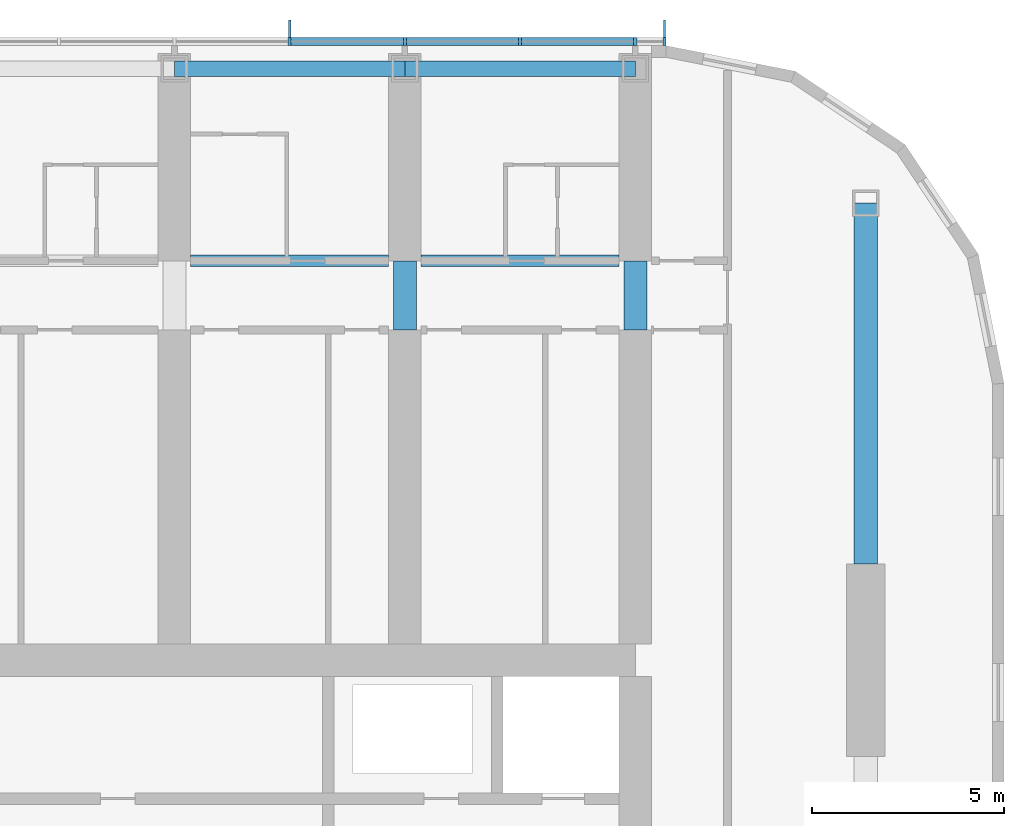
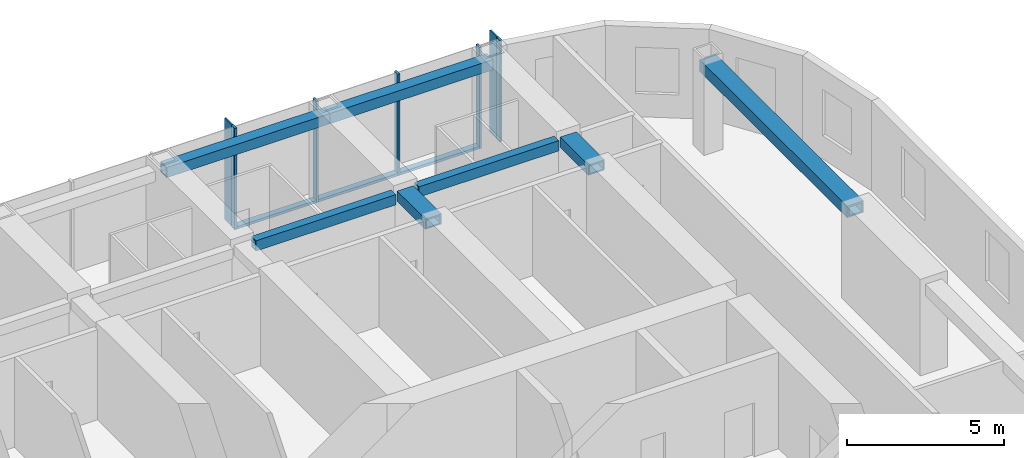
# One storey, part 7 of 27: 10 members, 7 beams, 1 element without a shape of its own.
"""IFC4 building model written with IfcOpenShell, lengths in metres."""

from ifc_helpers import new_model, si_unit, direction, frame, origin, origin_2d, place, context, subcontext, project, spatial, rectangle, hollow_rectangle, extrude, material, material_profile, profile_set, type_object, element, aggregate, save


model = new_model("IFC4")

# Units and contexts
model_context = context("Model", 3, precision=1e-05, world=origin(), true_north=direction((0.0, 1.0)))
body_context = subcontext(model_context, "Body", "Model", "MODEL_VIEW")
ifc_project = project(units=[si_unit("LENGTHUNIT", "METRE"), si_unit("AREAUNIT", "SQUARE_METRE"), si_unit("VOLUMEUNIT", "CUBIC_METRE"), si_unit("PLANEANGLEUNIT", "RADIAN"), si_unit("MASSUNIT", "GRAM", prefix="KILO")], contexts=[model_context])

# Site, building, storey
site_placement = place(None, origin())
site = spatial("IfcSite", under=ifc_project, at=site_placement, CompositionType="ELEMENT")
building_placement = place(site_placement, origin())
building = spatial("IfcBuilding", under=site, at=building_placement, Name="Orbita Commons", CompositionType="ELEMENT")
storey_placement = place(building_placement, frame((0.0, 0.0, 178.60009765625)))
storey = spatial("IfcBuildingStorey", under=building, at=storey_placement, Name="L44", CompositionType="ELEMENT", Elevation=178.60009765625)

# Curtain wall, members
ifc_material_1 = material(Name="Anodised aluminium frame, pale silver", Category="aluminium")
curtain_wall_type = type_object("IfcCurtainWallType", Name="Unitised curtain wall CW-U, full-height vision", PredefinedType="NOTDEFINED", material=ifc_material_1)
curtain_wall_placement = place(storey_placement, origin())
curtain_wall = element("IfcCurtainWall", 1, at=curtain_wall_placement, inside=storey, type_object=curtain_wall_type, Name="Curtain wall north L44", PredefinedType="NOTDEFINED")
ifc_material_2 = material(Name="Anodised aluminium, pale silver", Category="aluminium")
ifc_material_profile_1 = material_profile(ifc_material_2, rectangle(XDim=0.080078125, YDim=0.219970703125, at=origin_2d()), Name="AL 80x220")
ifc_profile_set_1 = profile_set([ifc_material_profile_1], Name="Anodised aluminium, pale silver")
member_type_1 = type_object("IfcMemberType", Name="Curtain wall mullion 80x220", PredefinedType="MULLION", material=ifc_profile_set_1)
member_1_placement = place(storey_placement, frame((66.760009765625, 54.31005859375, -0.4501953125), z_axis=(0.0, 0.0, 1.0), x_axis=(-1.0, 0.0, 0.0)))
member_1 = element("IfcMember", 2, at=member_1_placement, type_object=member_type_1, Name="Mullion 1 CW-L44-N", PredefinedType="MULLION", context=body_context, shape_type="SweptSolid", body=[
    extrude(rectangle(XDim=0.080078125, YDim=0.219970703125, at=origin_2d()), origin(), (0.0, 0.0, 1.0), 3.9501953125),
])
member_2_placement = place(storey_placement, frame((66.0, 54.31005859375, -0.4501953125), z_axis=(0.0, 0.0, 1.0), x_axis=(-1.0, 0.0, 0.0)))
member_2 = element("IfcMember", 3, at=member_2_placement, type_object=member_type_1, Name="Mullion 2 CW-L44-N", PredefinedType="MULLION", context=body_context, shape_type="SweptSolid", body=[
    extrude(rectangle(XDim=0.080078125, YDim=0.219970703125, at=origin_2d()), origin(), (0.0, 0.0, 1.0), 3.9501953125),
])
member_3_placement = place(storey_placement, frame((63.0, 54.31005859375, -0.4501953125), z_axis=(0.0, 0.0, 1.0), x_axis=(-1.0, 0.0, 0.0)))
member_3 = element("IfcMember", 4, at=member_3_placement, type_object=member_type_1, Name="Mullion 3 CW-L44-N", PredefinedType="MULLION", context=body_context, shape_type="SweptSolid", body=[
    extrude(rectangle(XDim=0.080078125, YDim=0.219970703125, at=origin_2d()), origin(), (0.0, 0.0, 1.0), 3.9501953125),
])
member_4_placement = place(storey_placement, frame((60.0, 54.31005859375, -0.4501953125), z_axis=(0.0, 0.0, 1.0), x_axis=(-1.0, 0.0, 0.0)))
member_4 = element("IfcMember", 5, at=member_4_placement, type_object=member_type_1, Name="Mullion 4 CW-L44-N", PredefinedType="MULLION", context=body_context, shape_type="SweptSolid", body=[
    extrude(rectangle(XDim=0.080078125, YDim=0.219970703125, at=origin_2d()), origin(), (0.0, 0.0, 1.0), 3.9501953125),
])
member_5_placement = place(storey_placement, frame((57.0, 54.31005859375, -0.4501953125), z_axis=(0.0, 0.0, 1.0), x_axis=(-1.0, 0.0, 0.0)))
member_5 = element("IfcMember", 6, at=member_5_placement, type_object=member_type_1, Name="Mullion 5 CW-L44-N", PredefinedType="MULLION", context=body_context, shape_type="SweptSolid", body=[
    extrude(rectangle(XDim=0.080078125, YDim=0.219970703125, at=origin_2d()), origin(), (0.0, 0.0, 1.0), 3.9501953125),
])
ifc_material_3 = material(Name="Anodised aluminium, pale silver", Category="aluminium")
ifc_material_profile_2 = material_profile(ifc_material_3, rectangle(XDim=0.219970703125, YDim=0.10009765625, at=origin_2d()), Name="AL 220x100")
ifc_profile_set_2 = profile_set([ifc_material_profile_2], Name="Anodised aluminium, pale silver")
member_type_2 = type_object("IfcMemberType", Name="Curtain wall stack transom 220x100", PredefinedType="USERDEFINED", material=ifc_profile_set_2)
member_6_placement = place(storey_placement, frame((65.9599609375, 54.31005859375, -0.400146484375), z_axis=(-1.0, 0.0, 0.0), x_axis=(0.0, -1.0, 0.0)))
member_6 = element("IfcMember", 7, at=member_6_placement, type_object=member_type_2, Name="Transom 2.1 CW-L44-N", ObjectType="TRANSOM", PredefinedType="USERDEFINED", context=body_context, shape_type="SweptSolid", body=[
    extrude(rectangle(XDim=0.219970703125, YDim=0.10009765625, at=origin_2d()), origin(), (0.0, 0.0, 1.0), 2.919921875),
])
member_7_placement = place(storey_placement, frame((62.9599609375, 54.31005859375, -0.400146484375), z_axis=(-1.0, 0.0, 0.0), x_axis=(0.0, -1.0, 0.0)))
member_7 = element("IfcMember", 8, at=member_7_placement, type_object=member_type_2, Name="Transom 3.1 CW-L44-N", ObjectType="TRANSOM", PredefinedType="USERDEFINED", context=body_context, shape_type="SweptSolid", body=[
    extrude(rectangle(XDim=0.219970703125, YDim=0.10009765625, at=origin_2d()), origin(), (0.0, 0.0, 1.0), 2.919921875),
])
member_8_placement = place(storey_placement, frame((59.9599609375, 54.31005859375, -0.400146484375), z_axis=(-1.0, 0.0, 0.0), x_axis=(0.0, -1.0, 0.0)))
member_8 = element("IfcMember", 9, at=member_8_placement, type_object=member_type_2, Name="Transom 4.1 CW-L44-N", ObjectType="TRANSOM", PredefinedType="USERDEFINED", context=body_context, shape_type="SweptSolid", body=[
    extrude(rectangle(XDim=0.219970703125, YDim=0.10009765625, at=origin_2d()), origin(), (0.0, 0.0, 1.0), 2.919921875),
])

# Beams
ifc_material_4 = material(Name="Steel ASTM A572 Gr 50 welded plate", Category="steel")
ifc_material_profile_3 = material_profile(ifc_material_4, hollow_rectangle(XDim=0.300048828125, YDim=0.39990234375, WallThickness=0.0400390625, at=origin_2d()), Name="BOX 400x300x40")
ifc_profile_set_3 = profile_set([ifc_material_profile_3], Name="Steel ASTM A572 Gr 50 welded plate")
beam_type_1 = type_object("IfcBeamType", Name="Steel corridor link BOX 400x300x40", PredefinedType="BEAM", material=ifc_profile_set_3)
for number, where, z_axis, x_axis, name in (
    (10, (54.425048828125, 48.60009765625, 3.2998046875), (1.0, 0.0, 0.0), (0.0, 1.0, 0.0), "Corridor beam NB 10-11 L44"),
    (11, (60.425048828125, 48.60009765625, 3.2998046875), (1.0, 0.0, 0.0), (0.0, 1.0, 0.0), "Corridor beam NB 11-12 L44"),
):
    element("IfcBeam", number, at=place(storey_placement, frame(where, z_axis=z_axis, x_axis=x_axis)), inside=storey, type_object=beam_type_1, Name=name, PredefinedType="BEAM", context=body_context, shape_type="SweptSolid", body=[
        extrude(hollow_rectangle(XDim=0.300048828125, YDim=0.39990234375, WallThickness=0.0400390625, at=origin_2d()), origin(), (0.0, 0.0, 1.0), 5.14990234375),
    ])
ifc_material_5 = material(Name="Steel ASTM A572 Gr 50 welded plate", Category="steel")
ifc_material_profile_4 = material_profile(ifc_material_5, hollow_rectangle(XDim=0.60009765625, YDim=0.39990234375, WallThickness=0.050048828125, at=origin_2d()), Name="BOX 400x600x50")
ifc_profile_set_4 = profile_set([ifc_material_profile_4], Name="Steel ASTM A572 Gr 50 welded plate")
beam_type_2 = type_object("IfcBeamType", Name="Steel coupling link BOX 400x600x50", PredefinedType="LINTEL", material=ifc_profile_set_4)
for number, where, z_axis, x_axis, name in (
    (12, (60.0, 46.800048828125, 3.2998046875), (0.0, 1.0, 0.0), (-1.0, 0.0, 0.0), "Coupling beam 11 north L44"),
    (13, (66.0, 46.800048828125, 3.2998046875), (0.0, 1.0, 0.0), (-1.0, 0.0, 0.0), "Coupling beam 12 north L44"),
):
    element("IfcBeam", number, at=place(storey_placement, frame(where, z_axis=z_axis, x_axis=x_axis)), inside=storey, type_object=beam_type_2, Name=name, PredefinedType="LINTEL", context=body_context, shape_type="SweptSolid", body=[
        extrude(hollow_rectangle(XDim=0.60009765625, YDim=0.39990234375, WallThickness=0.050048828125, at=origin_2d()), origin(), (0.0, 0.0, 1.0), 1.800048828125),
    ])
ifc_material_6 = material(Name="Steel ASTM A572 Gr 50 welded plate", Category="steel")
ifc_material_profile_5 = material_profile(ifc_material_6, hollow_rectangle(XDim=0.60009765625, YDim=0.449951171875, WallThickness=0.06005859375, at=origin_2d()), Name="BOX 450x600x60")
ifc_profile_set_5 = profile_set([ifc_material_profile_5], Name="Steel ASTM A572 Gr 50 welded plate")
beam_type_3 = type_object("IfcBeamType", Name="Steel end frame link BOX 450x600x60", PredefinedType="BEAM", material=ifc_profile_set_5)
beam_placement = place(storey_placement, frame((72.0, 40.699951171875, 3.27490234375), z_axis=(0.0, 1.0, 0.0), x_axis=(-1.0, 0.0, 0.0)))
element("IfcBeam", 14, at=beam_placement, inside=storey, type_object=beam_type_3, Name="End frame beam 13 D-E L44", PredefinedType="BEAM", context=body_context, shape_type="SweptSolid", body=[
    extrude(hollow_rectangle(XDim=0.60009765625, YDim=0.449951171875, WallThickness=0.06005859375, at=origin_2d()), origin(), (0.0, 0.0, 1.0), 9.400146484375),
])
ifc_material_7 = material(Name="Steel ASTM A572 Gr 50 welded plate", Category="steel")
ifc_material_profile_6 = material_profile(ifc_material_7, hollow_rectangle(XDim=0.39990234375, YDim=0.39990234375, WallThickness=0.0400390625, at=origin_2d()), Name="BOX 400x400x40")
ifc_profile_set_6 = profile_set([ifc_material_profile_6], Name="Steel ASTM A572 Gr 50 welded plate")
beam_type_4 = type_object("IfcBeamType", Name="Steel spandrel BOX 400x400x40", PredefinedType="SPANDREL", material=ifc_profile_set_6)
for number, where, z_axis, x_axis, name in (
    (15, (54.0, 53.60009765625, 3.2998046875), (1.0, 0.0, 0.0), (0.0, 1.0, 0.0), "Spandrel beam E 10-11 L44"),
    (16, (60.0, 53.60009765625, 3.2998046875), (1.0, 0.0, 0.0), (0.0, 1.0, 0.0), "Spandrel beam E 11-12 L44"),
):
    element("IfcBeam", number, at=place(storey_placement, frame(where, z_axis=z_axis, x_axis=x_axis)), inside=storey, type_object=beam_type_4, Name=name, PredefinedType="SPANDREL", context=body_context, shape_type="SweptSolid", body=[
        extrude(hollow_rectangle(XDim=0.39990234375, YDim=0.39990234375, WallThickness=0.0400390625, at=origin_2d()), origin(), (0.0, 0.0, 1.0), 6.0),
    ])

# Member
ifc_material_8 = material(Name="Anodised aluminium, pale silver", Category="aluminium")
ifc_material_profile_7 = material_profile(ifc_material_8, rectangle(XDim=0.06005859375, YDim=0.449951171875, at=origin_2d()), Name="FIN 60x450")
ifc_profile_set_7 = profile_set([ifc_material_profile_7], Name="Anodised aluminium, pale silver")
member_type_3 = type_object("IfcMemberType", Name="Vertical fin 60x450 pale aluminium", PredefinedType="USERDEFINED", material=ifc_profile_set_7)
member_9_placement = place(storey_placement, frame((66.760009765625, 54.64501953125, -0.4501953125), z_axis=(0.0, 0.0, 1.0), x_axis=(-1.0, 0.0, 0.0)))
member_9 = element("IfcMember", 17, at=member_9_placement, type_object=member_type_3, Name="Fin 1 CW-L44-N", ObjectType="FIN", PredefinedType="USERDEFINED", context=body_context, shape_type="SweptSolid", body=[
    extrude(rectangle(XDim=0.06005859375, YDim=0.449951171875, at=origin_2d()), origin(), (0.0, 0.0, 1.0), 3.9501953125),
])

member_10_placement = place(storey_placement, frame((57.0, 54.64501953125, -0.4501953125), z_axis=(0.0, 0.0, 1.0), x_axis=(-1.0, 0.0, 0.0)))
member_10 = element("IfcMember", 18, at=member_10_placement, type_object=member_type_3, Name="Fin 5 CW-L44-N", ObjectType="FIN", PredefinedType="USERDEFINED", context=body_context, shape_type="SweptSolid", body=[
    extrude(rectangle(XDim=0.06005859375, YDim=0.449951171875, at=origin_2d()), origin(), (0.0, 0.0, 1.0), 3.9501953125),
])

aggregate(curtain_wall, [member_1, member_9, member_2, member_3, member_4, member_5, member_10, member_6, member_7, member_8])

save(model, "model.ifc")
